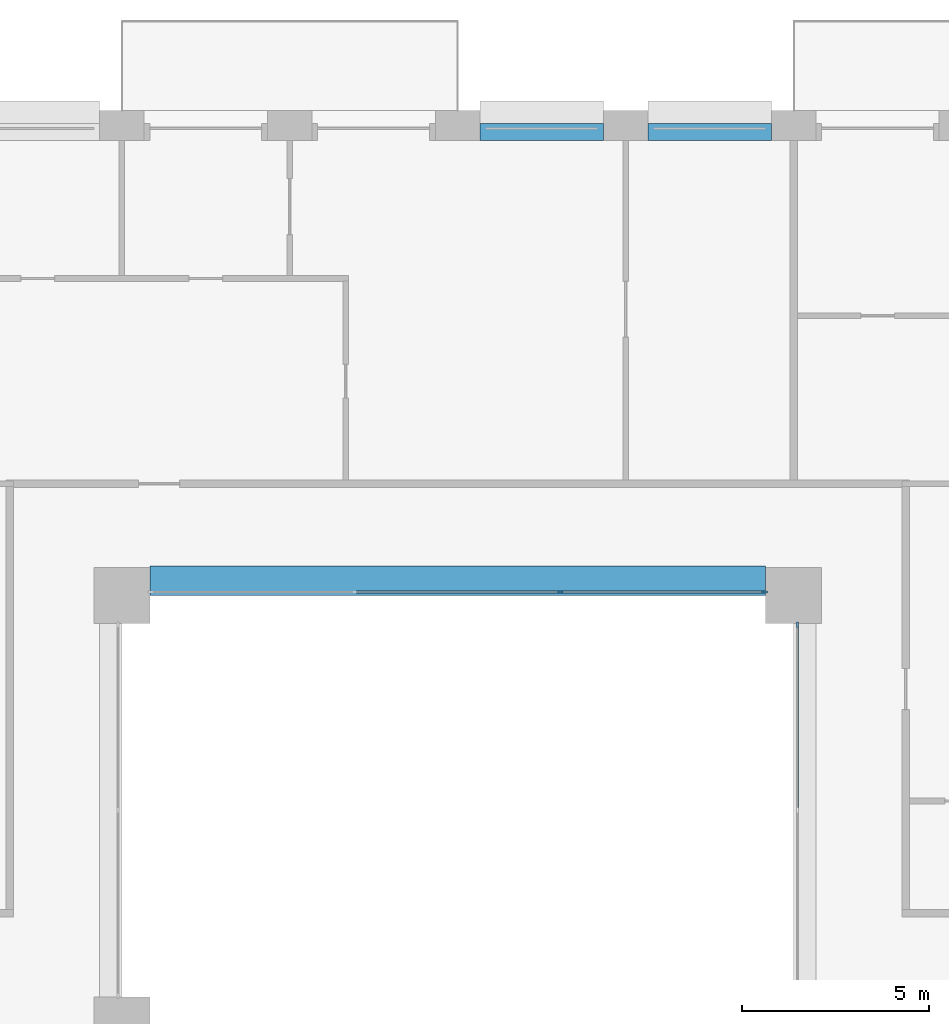
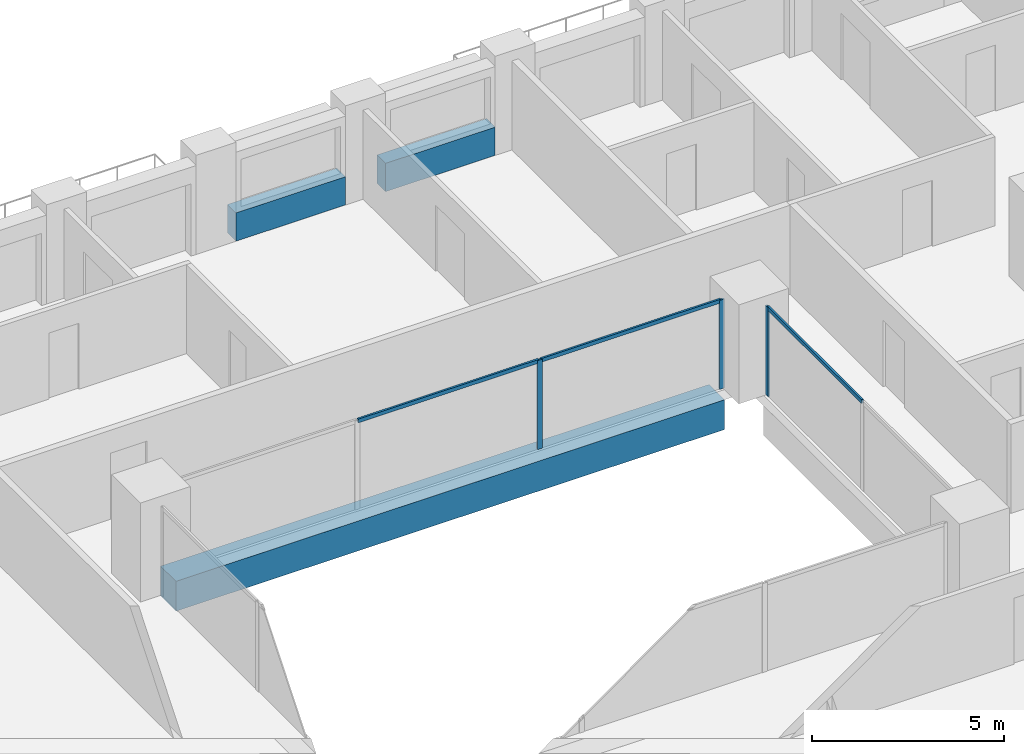
# One storey, part 7 of 20: 6 members, 3 beams, 2 elements without a shape of their own.
"""IFC4 building model written with IfcOpenShell, lengths in metres."""

from ifc_helpers import new_model, si_unit, direction, frame, origin, origin_2d, place, context, subcontext, project, spatial, rectangle, extrude, material, layer, layer_set, material_profile, profile_set, type_object, element, aggregate, save


model = new_model("IFC4")

# Units and contexts
model_context = context("Model", 3, precision=1e-05, world=origin(), true_north=direction((0.0, 1.0)))
body_context = subcontext(model_context, "Body", "Model", "MODEL_VIEW")
ifc_project = project(units=[si_unit("LENGTHUNIT", "METRE"), si_unit("AREAUNIT", "SQUARE_METRE"), si_unit("VOLUMEUNIT", "CUBIC_METRE"), si_unit("PLANEANGLEUNIT", "RADIAN"), si_unit("MASSUNIT", "GRAM", prefix="KILO")], contexts=[model_context])

# Site, building, storey
site_placement = place(None, origin())
site = spatial("IfcSite", under=ifc_project, at=site_placement, CompositionType="ELEMENT")
building_placement = place(site_placement, origin())
building = spatial("IfcBuilding", under=site, at=building_placement, Name="Brigalow Station Residences", CompositionType="ELEMENT")
storey_placement = place(building_placement, frame((0.0, 0.0, 57.300048828125)))
storey = spatial("IfcBuildingStorey", under=building, at=storey_placement, Name="L16", CompositionType="ELEMENT", Elevation=57.300048828125)

# Beam
ifc_material_1 = material(Name="Concrete C65", Category="concrete")
ifc_material_profile_1 = material_profile(ifc_material_1, rectangle(XDim=0.800048828125, YDim=0.949951171875, at=origin_2d()), Name="RC800x950")
ifc_profile_set_1 = profile_set([ifc_material_profile_1], Name="Concrete C65")
beam_type_1 = type_object("IfcBeamType", Name="ATRIUM EDGE GIRDER OVER 13.5 M SPAN 800x950 C65", PredefinedType="BEAM", material=ifc_profile_set_1)
beam_placement = place(storey_placement, frame((27.75, 35.89990234375, -0.795166015625), z_axis=(1.0, 0.0, 0.0), x_axis=(0.0, 1.0, 0.0)))
element("IfcBeam", 1, at=beam_placement, inside=storey, type_object=beam_type_1, Name="ATRIUM EDGE GIRDER D L16", PredefinedType="BEAM", context=body_context, shape_type="SweptSolid", body=[
    extrude(rectangle(XDim=0.800048828125, YDim=0.949951171875, at=origin_2d()), origin(), (0.0, 0.0, 1.0), 16.5),
])

# Curtain wall, member
ifc_material_2 = material(Name="Aluminium", Category="aluminium")
ifc_layer = layer(ifc_material_2, 0.14990234375)
ifc_layer_set = layer_set([ifc_layer], Name="ATRIUM FIRE-RATED GLAZING CURTAIN WALL")
curtain_wall_type = type_object("IfcCurtainWallType", Name="ATRIUM FIRE-RATED GLAZING CURTAIN WALL", PredefinedType="NOTDEFINED", material=ifc_layer_set)
curtain_wall_1_placement = place(storey_placement, origin())
curtain_wall_1 = element("IfcCurtainWall", 2, at=curtain_wall_1_placement, inside=storey, type_object=curtain_wall_type, Name="L16/cw/atrium-E", PredefinedType="NOTDEFINED")
ifc_material_3 = material(Name="Aluminium", Category="aluminium")
ifc_material_profile_2 = material_profile(ifc_material_3, rectangle(XDim=0.06005859375, YDim=0.14990234375, at=origin_2d()), Name="ATRIUM FIRE-RATED GLAZING MULLION 60x150")
ifc_profile_set_2 = profile_set([ifc_material_profile_2], Name="Aluminium")
member_type_1 = type_object("IfcMemberType", Name="ATRIUM FIRE-RATED GLAZING MULLION 60x150", PredefinedType="MULLION", material=ifc_profile_set_2)
member_1_placement = place(storey_placement, frame((45.10009765625, 34.719970703125, 0.0), z_axis=(0.0, 0.0, 1.0), x_axis=(-1.0, 0.0, 0.0)))
member_1 = element("IfcMember", 3, at=member_1_placement, type_object=member_type_1, Name="L16/cw/atrium-E/M02", PredefinedType="MULLION", context=body_context, shape_type="SweptSolid", body=[
    extrude(rectangle(XDim=0.06005859375, YDim=0.14990234375, at=origin_2d()), origin(), (0.0, 0.0, 1.0), 2.829833984375),
])

# Curtain wall, members
curtain_wall_2_placement = place(storey_placement, origin())
curtain_wall_2 = element("IfcCurtainWall", 4, at=curtain_wall_2_placement, inside=storey, type_object=curtain_wall_type, Name="L16/cw/atrium-N", PredefinedType="NOTDEFINED")
member_2_placement = place(storey_placement, frame((44.219970703125, 35.60009765625, 0.0), z_axis=(0.0, 0.0, 1.0), x_axis=(0.0, -1.0, 0.0)))
member_2 = element("IfcMember", 5, at=member_2_placement, type_object=member_type_1, Name="L16/cw/atrium-N/M00", PredefinedType="MULLION", context=body_context, shape_type="SweptSolid", body=[
    extrude(rectangle(XDim=0.06005859375, YDim=0.14990234375, at=origin_2d()), origin(), (0.0, 0.0, 1.0), 2.829833984375),
])
member_3_placement = place(storey_placement, frame((38.75, 35.60009765625, 0.0), z_axis=(0.0, 0.0, 1.0), x_axis=(0.0, -1.0, 0.0)))
member_3 = element("IfcMember", 6, at=member_3_placement, type_object=member_type_1, Name="L16/cw/atrium-N/M01", PredefinedType="MULLION", context=body_context, shape_type="SweptSolid", body=[
    extrude(rectangle(XDim=0.06005859375, YDim=0.14990234375, at=origin_2d()), origin(), (0.0, 0.0, 1.0), 2.829833984375),
])

# Member
ifc_material_4 = material(Name="Aluminium", Category="aluminium")
ifc_material_profile_3 = material_profile(ifc_material_4, rectangle(XDim=0.06005859375, YDim=0.1201171875, at=origin_2d()), Name="ATRIUM FIRE-RATED GLAZING TRANSOM 60x120")
ifc_profile_set_3 = profile_set([ifc_material_profile_3], Name="Aluminium")
member_type_2 = type_object("IfcMemberType", Name="ATRIUM FIRE-RATED GLAZING TRANSOM 60x120", PredefinedType="USERDEFINED", material=ifc_profile_set_3)
member_4_placement = place(storey_placement, frame((45.10009765625, 29.780029296875, 2.800048828125), z_axis=(0.0, 1.0, 0.0), x_axis=(-1.0, 0.0, 0.0)))
member_4 = element("IfcMember", 7, at=member_4_placement, type_object=member_type_2, Name="L16/cw/atrium-E/T01-00", ObjectType="TRANSOM", PredefinedType="USERDEFINED", context=body_context, shape_type="SweptSolid", body=[
    extrude(rectangle(XDim=0.06005859375, YDim=0.1201171875, at=origin_2d()), origin(), (0.0, 0.0, 1.0), 4.909912109375),
])

aggregate(curtain_wall_1, [member_1, member_4])

member_5_placement = place(storey_placement, frame((44.18994140625, 35.60009765625, 2.800048828125), z_axis=(-1.0, 0.0, 0.0), x_axis=(0.0, -1.0, 0.0)))
member_5 = element("IfcMember", 8, at=member_5_placement, type_object=member_type_2, Name="L16/cw/atrium-N/T00-00", ObjectType="TRANSOM", PredefinedType="USERDEFINED", context=body_context, shape_type="SweptSolid", body=[
    extrude(rectangle(XDim=0.06005859375, YDim=0.1201171875, at=origin_2d()), origin(), (0.0, 0.0, 1.0), 5.409912109375),
])

member_6_placement = place(storey_placement, frame((38.719970703125, 35.60009765625, 2.800048828125), z_axis=(-1.0, 0.0, 0.0), x_axis=(0.0, -1.0, 0.0)))
member_6 = element("IfcMember", 9, at=member_6_placement, type_object=member_type_2, Name="L16/cw/atrium-N/T01-00", ObjectType="TRANSOM", PredefinedType="USERDEFINED", context=body_context, shape_type="SweptSolid", body=[
    extrude(rectangle(XDim=0.06005859375, YDim=0.1201171875, at=origin_2d()), origin(), (0.0, 0.0, 1.0), 5.43994140625),
])

aggregate(curtain_wall_2, [member_2, member_3, member_5, member_6])

# Beams
ifc_material_5 = material(Name="Concrete C65", Category="concrete")
ifc_material_profile_4 = material_profile(ifc_material_5, rectangle(XDim=0.449951171875, YDim=0.89990234375, at=origin_2d()), Name="RC450x900")
ifc_profile_set_4 = profile_set([ifc_material_profile_4], Name="Concrete C65")
beam_type_2 = type_object("IfcBeamType", Name="SPANDREL BEAM 450x900 C65", PredefinedType="SPANDREL", material=ifc_profile_set_4)
for number, where, z_axis, x_axis, name in (
    (10, (44.39990234375, 47.925048828125, 0.449951171875), (-1.0, 0.0, 0.0), (0.0, -1.0, 0.0), "L16/spandrel/W-L16-31"),
    (11, (39.89990234375, 47.925048828125, 0.449951171875), (-1.0, 0.0, 0.0), (0.0, -1.0, 0.0), "L16/spandrel/W-L16-32"),
):
    element("IfcBeam", number, at=place(storey_placement, frame(where, z_axis=z_axis, x_axis=x_axis)), inside=storey, type_object=beam_type_2, Name=name, PredefinedType="SPANDREL", context=body_context, shape_type="SweptSolid", body=[
        extrude(rectangle(XDim=0.449951171875, YDim=0.89990234375, at=origin_2d()), origin(), (0.0, 0.0, 1.0), 3.2998046875),
    ])

save(model, "model.ifc")
